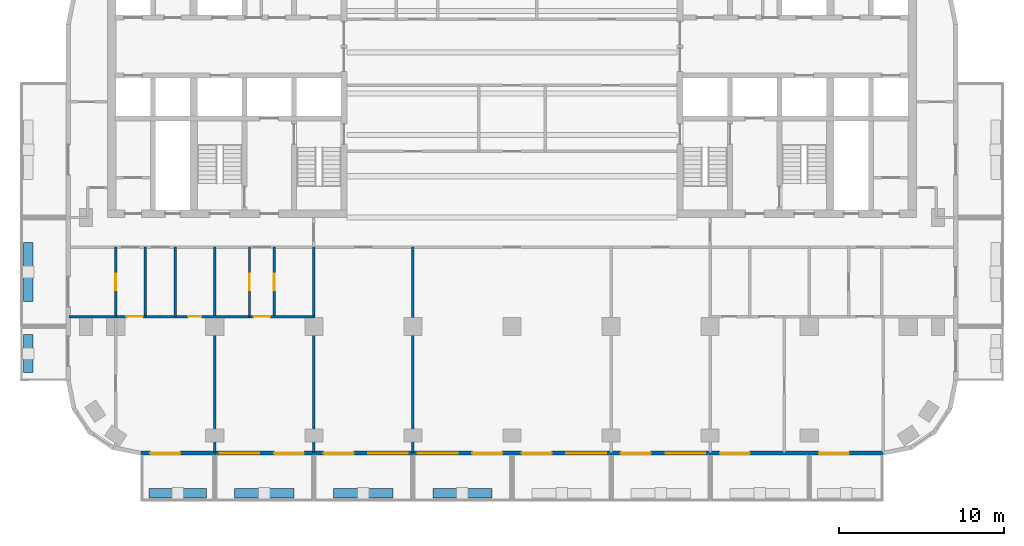
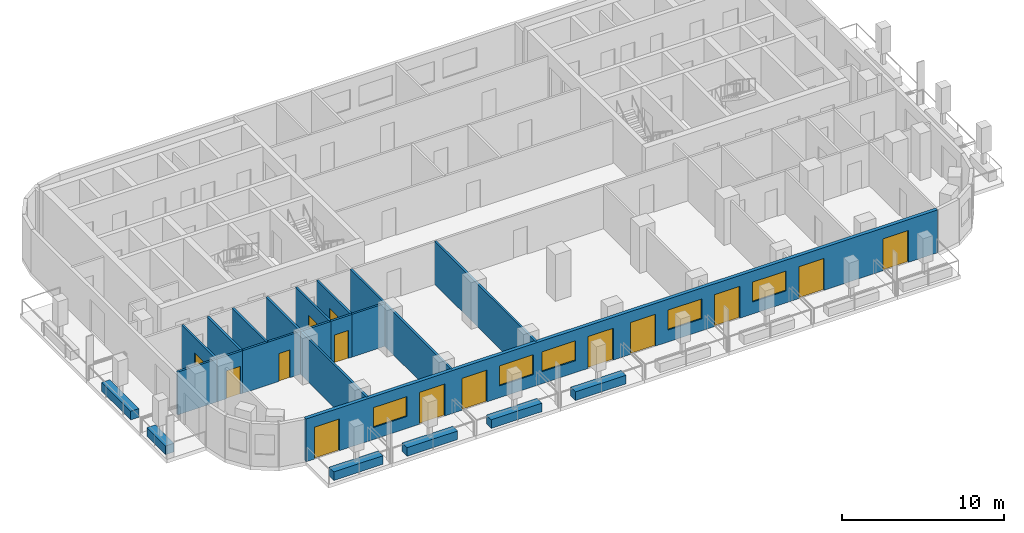
# One storey, part 2 of 11: 20 walls, 14 doors, 5 windows, 19 openings.
"""IFC4 building model written with IfcOpenShell, lengths in metres."""

from ifc_helpers import new_model, si_unit, direction, frame, frame_2d, origin, place, context, subcontext, project, spatial, rectangle, extrude, material, layer, layer_set, type_object, element, fill, save


model = new_model("IFC4")

# Units and contexts
model_context = context("Model", 3, precision=1e-05, world=origin(), true_north=direction((0.0, 1.0)))
body_context = subcontext(model_context, "Body", "Model", "MODEL_VIEW")
ifc_project = project(units=[si_unit("LENGTHUNIT", "METRE"), si_unit("AREAUNIT", "SQUARE_METRE"), si_unit("VOLUMEUNIT", "CUBIC_METRE"), si_unit("PLANEANGLEUNIT", "RADIAN"), si_unit("MASSUNIT", "GRAM", prefix="KILO")], contexts=[model_context])

# Site, building, storey
site_placement = place(None, origin())
site = spatial("IfcSite", under=ifc_project, at=site_placement, CompositionType="ELEMENT")
building_placement = place(site_placement, origin())
building = spatial("IfcBuilding", under=site, at=building_placement, Name="Torana Hotel and Residences", CompositionType="ELEMENT")
storey_placement = place(building_placement, frame((0.0, 0.0, 222.10009765625)))
storey = spatial("IfcBuildingStorey", under=building, at=storey_placement, Name="L58", CompositionType="ELEMENT", Elevation=222.10009765625)

# Wall, openings, doors, windows
ifc_material_1 = material(Name="Black aluminium composite panel", Category="aluminium")
ifc_layer_1 = layer(ifc_material_1, 0.00390625, Name="Cladding", Category="cladding")
ifc_material_2 = material(Name="Ventilated air cavity")
ifc_layer_2 = layer(ifc_material_2, 0.0400390625, Name="Ventilated cavity", Category="cavity")
ifc_material_3 = material(Name="Mineral wool insulation")
ifc_layer_3 = layer(ifc_material_3, 0.090087890625, Name="Insulation", Category="insulation")
ifc_material_4 = material(Name="Steel S280GD", Category="steel")
ifc_layer_4 = layer(ifc_material_4, 0.092041015625, Name="Steel stud frame", Category="structure")
ifc_material_5 = material(Name="Fire rated plasterboard")
ifc_layer_5 = layer(ifc_material_5, 0.011962890625, Name="Inner board", Category="finish")
ifc_layer_6 = layer(ifc_material_5, 0.011962890625, Name="Second board", Category="finish")
ifc_layer_set_1 = layer_set([ifc_layer_1, ifc_layer_2, ifc_layer_3, ifc_layer_4, ifc_layer_5, ifc_layer_6], Name="EW1 EXTERNAL WALL BLACK METAL CLAD 250")
wall_type_1 = type_object("IfcWallType", Name="EW1 EXTERNAL WALL BLACK METAL CLAD 250", PredefinedType="SOLIDWALL", material=ifc_layer_set_1)
wall_1_placement = place(storey_placement, frame((-22.475341796875, -29.27490234375, 0.0), z_axis=(0.0, 0.0, 1.0), x_axis=(1.0, 0.0, 0.0)))
wall_1 = element("IfcWall", 1, at=wall_1_placement, inside=storey, type_object=wall_type_1, Name="External wall L58 e0.14", PredefinedType="SOLIDWALL", context=body_context, shape_type="SweptSolid", body=[
    extrude(rectangle(XDim=44.95068359375, YDim=0.25, at=frame_2d((22.475341796875, 0.0))), origin(), (0.0, 0.0, 1.0), 3.219970703125),
])
opening_1_placement = place(wall_1_placement, frame((0.575439453125, 0.0, 0.0)))
opening_1 = element("IfcOpeningElement", 2, at=opening_1_placement, cuts=wall_1, Name="Opening L58-E01", PredefinedType="OPENING", context=body_context, shape_type="SweptSolid", body=[
    extrude(rectangle(XDim=1.800048828125, YDim=2.39990234375, at=frame_2d((0.89990234375, 1.199951171875))), frame((0.0, 0.135009765625, 0.0), z_axis=(0.0, -1.0, 0.0), x_axis=(1.0, 0.0, 0.0)), (0.0, 0.0, 1.0), 0.27001953125),
])
opening_2_placement = place(wall_1_placement, frame((4.775390625, 0.0, 0.89990234375)))
opening_2 = element("IfcOpeningElement", 3, at=opening_2_placement, cuts=wall_1, Name="Opening W3", PredefinedType="OPENING", context=body_context, shape_type="SweptSolid", body=[
    extrude(rectangle(XDim=2.39990234375, YDim=1.5, at=frame_2d((1.199951171875, 0.75))), frame((0.0, 0.135009765625, 0.0), z_axis=(0.0, -1.0, 0.0), x_axis=(1.0, 0.0, 0.0)), (0.0, 0.0, 1.0), 0.27001953125),
])
opening_3_placement = place(wall_1_placement, frame((8.075439453125, 0.0, 0.0)))
opening_3 = element("IfcOpeningElement", 4, at=opening_3_placement, cuts=wall_1, Name="Opening L58-E02", PredefinedType="OPENING", context=body_context, shape_type="SweptSolid", body=[
    extrude(rectangle(XDim=1.800048828125, YDim=2.39990234375, at=frame_2d((0.89990234375, 1.199951171875))), frame((0.0, 0.135009765625, 0.0), z_axis=(0.0, -1.0, 0.0), x_axis=(1.0, 0.0, 0.0)), (0.0, 0.0, 1.0), 0.27001953125),
])
opening_4_placement = place(wall_1_placement, frame((11.075439453125, 0.0, 0.0)))
opening_4 = element("IfcOpeningElement", 5, at=opening_4_placement, cuts=wall_1, Name="Opening L58-E03", PredefinedType="OPENING", context=body_context, shape_type="SweptSolid", body=[
    extrude(rectangle(XDim=1.800048828125, YDim=2.39990234375, at=frame_2d((0.89990234375, 1.199951171875))), frame((0.0, 0.135009765625, 0.0), z_axis=(0.0, -1.0, 0.0), x_axis=(1.0, 0.0, 0.0)), (0.0, 0.0, 1.0), 0.27001953125),
])
opening_5_placement = place(wall_1_placement, frame((13.775390625, 0.0, 0.89990234375)))
opening_5 = element("IfcOpeningElement", 6, at=opening_5_placement, cuts=wall_1, Name="Opening W3", PredefinedType="OPENING", context=body_context, shape_type="SweptSolid", body=[
    extrude(rectangle(XDim=2.39990234375, YDim=1.5, at=frame_2d((1.199951171875, 0.75))), frame((0.0, 0.135009765625, 0.0), z_axis=(0.0, -1.0, 0.0), x_axis=(1.0, 0.0, 0.0)), (0.0, 0.0, 1.0), 0.27001953125),
])
opening_6_placement = place(wall_1_placement, frame((16.775390625, 0.0, 0.89990234375)))
opening_6 = element("IfcOpeningElement", 7, at=opening_6_placement, cuts=wall_1, Name="Opening W3", PredefinedType="OPENING", context=body_context, shape_type="SweptSolid", body=[
    extrude(rectangle(XDim=2.39990234375, YDim=1.5, at=frame_2d((1.199951171875, 0.75))), frame((0.0, 0.135009765625, 0.0), z_axis=(0.0, -1.0, 0.0), x_axis=(1.0, 0.0, 0.0)), (0.0, 0.0, 1.0), 0.27001953125),
])
opening_7_placement = place(wall_1_placement, frame((20.075439453125, 0.0, 0.0)))
opening_7 = element("IfcOpeningElement", 8, at=opening_7_placement, cuts=wall_1, Name="Opening L58-E04", PredefinedType="OPENING", context=body_context, shape_type="SweptSolid", body=[
    extrude(rectangle(XDim=1.800048828125, YDim=2.39990234375, at=frame_2d((0.89990234375, 1.199951171875))), frame((0.0, 0.135009765625, 0.0), z_axis=(0.0, -1.0, 0.0), x_axis=(1.0, 0.0, 0.0)), (0.0, 0.0, 1.0), 0.27001953125),
])
opening_8_placement = place(wall_1_placement, frame((23.075439453125, 0.0, 0.0)))
opening_8 = element("IfcOpeningElement", 9, at=opening_8_placement, cuts=wall_1, Name="Opening L58-E05", PredefinedType="OPENING", context=body_context, shape_type="SweptSolid", body=[
    extrude(rectangle(XDim=1.800048828125, YDim=2.39990234375, at=frame_2d((0.89990234375, 1.199951171875))), frame((0.0, 0.135009765625, 0.0), z_axis=(0.0, -1.0, 0.0), x_axis=(1.0, 0.0, 0.0)), (0.0, 0.0, 1.0), 0.27001953125),
])
opening_9_placement = place(wall_1_placement, frame((25.775390625, 0.0, 0.89990234375)))
opening_9 = element("IfcOpeningElement", 10, at=opening_9_placement, cuts=wall_1, Name="Opening W3", PredefinedType="OPENING", context=body_context, shape_type="SweptSolid", body=[
    extrude(rectangle(XDim=2.39990234375, YDim=1.5, at=frame_2d((1.199951171875, 0.75))), frame((0.0, 0.135009765625, 0.0), z_axis=(0.0, -1.0, 0.0), x_axis=(1.0, 0.0, 0.0)), (0.0, 0.0, 1.0), 0.27001953125),
])
opening_10_placement = place(wall_1_placement, frame((29.075439453125, 0.0, 0.0)))
opening_10 = element("IfcOpeningElement", 11, at=opening_10_placement, cuts=wall_1, Name="Opening L58-E06", PredefinedType="OPENING", context=body_context, shape_type="SweptSolid", body=[
    extrude(rectangle(XDim=1.800048828125, YDim=2.39990234375, at=frame_2d((0.89990234375, 1.199951171875))), frame((0.0, 0.135009765625, 0.0), z_axis=(0.0, -1.0, 0.0), x_axis=(1.0, 0.0, 0.0)), (0.0, 0.0, 1.0), 0.27001953125),
])
opening_11_placement = place(wall_1_placement, frame((31.775390625, 0.0, 0.89990234375)))
opening_11 = element("IfcOpeningElement", 12, at=opening_11_placement, cuts=wall_1, Name="Opening W3", PredefinedType="OPENING", context=body_context, shape_type="SweptSolid", body=[
    extrude(rectangle(XDim=2.39990234375, YDim=1.5, at=frame_2d((1.199951171875, 0.75))), frame((0.0, 0.135009765625, 0.0), z_axis=(0.0, -1.0, 0.0), x_axis=(1.0, 0.0, 0.0)), (0.0, 0.0, 1.0), 0.27001953125),
])
opening_12_placement = place(wall_1_placement, frame((35.075439453125, 0.0, 0.0)))
opening_12 = element("IfcOpeningElement", 13, at=opening_12_placement, cuts=wall_1, Name="Opening L58-E07", PredefinedType="OPENING", context=body_context, shape_type="SweptSolid", body=[
    extrude(rectangle(XDim=1.800048828125, YDim=2.39990234375, at=frame_2d((0.89990234375, 1.199951171875))), frame((0.0, 0.135009765625, 0.0), z_axis=(0.0, -1.0, 0.0), x_axis=(1.0, 0.0, 0.0)), (0.0, 0.0, 1.0), 0.27001953125),
])
opening_13_placement = place(wall_1_placement, frame((41.075439453125, 0.0, 0.0)))
opening_13 = element("IfcOpeningElement", 14, at=opening_13_placement, cuts=wall_1, Name="Opening L58-E08", PredefinedType="OPENING", context=body_context, shape_type="SweptSolid", body=[
    extrude(rectangle(XDim=1.800048828125, YDim=2.39990234375, at=frame_2d((0.89990234375, 1.199951171875))), frame((0.0, 0.135009765625, 0.0), z_axis=(0.0, -1.0, 0.0), x_axis=(1.0, 0.0, 0.0)), (0.0, 0.0, 1.0), 0.27001953125),
])
ifc_material_6 = material(Name="Dark glass in black aluminium frame", Category="aluminium")
door_type_1 = type_object("IfcDoorType", Name="DB1 BALCONY DOOR 1800x2400", OperationType="DOUBLE_DOOR_SINGLE_SWING", PredefinedType="DOOR", material=ifc_material_6)
door_1_placement = place(opening_1_placement, origin())
door_1 = element("IfcDoor", 15, at=door_1_placement, inside=storey, type_object=door_type_1, Name="Balcony door L58", OperationType="DOUBLE_DOOR_SINGLE_SWING", OverallHeight=2.39990234375, OverallWidth=1.800048828125, PredefinedType="DOOR", context=body_context, shape_type="SweptSolid", body=[
    extrude(rectangle(XDim=1.800048828125, YDim=2.39990234375, at=frame_2d((0.89990234375, 1.199951171875))), frame((0.0, 0.02490234375, 0.0), z_axis=(0.0, -1.0, 0.0), x_axis=(1.0, 0.0, 0.0)), (0.0, 0.0, 1.0), 0.050048828125),
])
fill(opening_1, door_1)
door_2_placement = place(opening_3_placement, origin())
door_2 = element("IfcDoor", 16, at=door_2_placement, inside=storey, type_object=door_type_1, Name="Balcony door L58", OperationType="DOUBLE_DOOR_SINGLE_SWING", OverallHeight=2.39990234375, OverallWidth=1.800048828125, PredefinedType="DOOR", context=body_context, shape_type="SweptSolid", body=[
    extrude(rectangle(XDim=1.800048828125, YDim=2.39990234375, at=frame_2d((0.89990234375, 1.199951171875))), frame((0.0, 0.02490234375, 0.0), z_axis=(0.0, -1.0, 0.0), x_axis=(1.0, 0.0, 0.0)), (0.0, 0.0, 1.0), 0.050048828125),
])
fill(opening_3, door_2)
door_3_placement = place(opening_4_placement, origin())
door_3 = element("IfcDoor", 17, at=door_3_placement, inside=storey, type_object=door_type_1, Name="Balcony door L58", OperationType="DOUBLE_DOOR_SINGLE_SWING", OverallHeight=2.39990234375, OverallWidth=1.800048828125, PredefinedType="DOOR", context=body_context, shape_type="SweptSolid", body=[
    extrude(rectangle(XDim=1.800048828125, YDim=2.39990234375, at=frame_2d((0.89990234375, 1.199951171875))), frame((0.0, 0.02490234375, 0.0), z_axis=(0.0, -1.0, 0.0), x_axis=(1.0, 0.0, 0.0)), (0.0, 0.0, 1.0), 0.050048828125),
])
fill(opening_4, door_3)
door_4_placement = place(opening_7_placement, origin())
door_4 = element("IfcDoor", 18, at=door_4_placement, inside=storey, type_object=door_type_1, Name="Balcony door L58", OperationType="DOUBLE_DOOR_SINGLE_SWING", OverallHeight=2.39990234375, OverallWidth=1.800048828125, PredefinedType="DOOR", context=body_context, shape_type="SweptSolid", body=[
    extrude(rectangle(XDim=1.800048828125, YDim=2.39990234375, at=frame_2d((0.89990234375, 1.199951171875))), frame((0.0, 0.02490234375, 0.0), z_axis=(0.0, -1.0, 0.0), x_axis=(1.0, 0.0, 0.0)), (0.0, 0.0, 1.0), 0.050048828125),
])
fill(opening_7, door_4)
door_5_placement = place(opening_8_placement, origin())
door_5 = element("IfcDoor", 19, at=door_5_placement, inside=storey, type_object=door_type_1, Name="Balcony door L58", OperationType="DOUBLE_DOOR_SINGLE_SWING", OverallHeight=2.39990234375, OverallWidth=1.800048828125, PredefinedType="DOOR", context=body_context, shape_type="SweptSolid", body=[
    extrude(rectangle(XDim=1.800048828125, YDim=2.39990234375, at=frame_2d((0.89990234375, 1.199951171875))), frame((0.0, 0.02490234375, 0.0), z_axis=(0.0, -1.0, 0.0), x_axis=(1.0, 0.0, 0.0)), (0.0, 0.0, 1.0), 0.050048828125),
])
fill(opening_8, door_5)
door_6_placement = place(opening_10_placement, origin())
door_6 = element("IfcDoor", 20, at=door_6_placement, inside=storey, type_object=door_type_1, Name="Balcony door L58", OperationType="DOUBLE_DOOR_SINGLE_SWING", OverallHeight=2.39990234375, OverallWidth=1.800048828125, PredefinedType="DOOR", context=body_context, shape_type="SweptSolid", body=[
    extrude(rectangle(XDim=1.800048828125, YDim=2.39990234375, at=frame_2d((0.89990234375, 1.199951171875))), frame((0.0, 0.02490234375, 0.0), z_axis=(0.0, -1.0, 0.0), x_axis=(1.0, 0.0, 0.0)), (0.0, 0.0, 1.0), 0.050048828125),
])
fill(opening_10, door_6)
door_7_placement = place(opening_12_placement, origin())
door_7 = element("IfcDoor", 21, at=door_7_placement, inside=storey, type_object=door_type_1, Name="Balcony door L58", OperationType="DOUBLE_DOOR_SINGLE_SWING", OverallHeight=2.39990234375, OverallWidth=1.800048828125, PredefinedType="DOOR", context=body_context, shape_type="SweptSolid", body=[
    extrude(rectangle(XDim=1.800048828125, YDim=2.39990234375, at=frame_2d((0.89990234375, 1.199951171875))), frame((0.0, 0.02490234375, 0.0), z_axis=(0.0, -1.0, 0.0), x_axis=(1.0, 0.0, 0.0)), (0.0, 0.0, 1.0), 0.050048828125),
])
fill(opening_12, door_7)
door_8_placement = place(opening_13_placement, origin())
door_8 = element("IfcDoor", 22, at=door_8_placement, inside=storey, type_object=door_type_1, Name="Balcony door L58", OperationType="DOUBLE_DOOR_SINGLE_SWING", OverallHeight=2.39990234375, OverallWidth=1.800048828125, PredefinedType="DOOR", context=body_context, shape_type="SweptSolid", body=[
    extrude(rectangle(XDim=1.800048828125, YDim=2.39990234375, at=frame_2d((0.89990234375, 1.199951171875))), frame((0.0, 0.02490234375, 0.0), z_axis=(0.0, -1.0, 0.0), x_axis=(1.0, 0.0, 0.0)), (0.0, 0.0, 1.0), 0.050048828125),
])
fill(opening_13, door_8)
ifc_material_7 = material(Name="Dark glass in black aluminium frame", Category="aluminium")
window_type = type_object("IfcWindowType", Name="W3 RESIDENCE WINDOW 2400x1500", PartitioningType="SINGLE_PANEL", PredefinedType="WINDOW", material=ifc_material_7)
window_1_placement = place(opening_2_placement, origin())
window_1 = element("IfcWindow", 23, at=window_1_placement, inside=storey, type_object=window_type, Name="Window L58", OverallHeight=1.5, OverallWidth=2.39990234375, PartitioningType="SINGLE_PANEL", PredefinedType="WINDOW", context=body_context, shape_type="SweptSolid", body=[
    extrude(rectangle(XDim=2.39990234375, YDim=1.5, at=frame_2d((1.199951171875, 0.75))), frame((0.0, 0.030029296875, 0.0), z_axis=(0.0, -1.0, 0.0), x_axis=(1.0, 0.0, 0.0)), (0.0, 0.0, 1.0), 0.06005859375),
])
fill(opening_2, window_1)
window_2_placement = place(opening_5_placement, origin())
window_2 = element("IfcWindow", 24, at=window_2_placement, inside=storey, type_object=window_type, Name="Window L58", OverallHeight=1.5, OverallWidth=2.39990234375, PartitioningType="SINGLE_PANEL", PredefinedType="WINDOW", context=body_context, shape_type="SweptSolid", body=[
    extrude(rectangle(XDim=2.39990234375, YDim=1.5, at=frame_2d((1.199951171875, 0.75))), frame((0.0, 0.030029296875, 0.0), z_axis=(0.0, -1.0, 0.0), x_axis=(1.0, 0.0, 0.0)), (0.0, 0.0, 1.0), 0.06005859375),
])
fill(opening_5, window_2)
window_3_placement = place(opening_6_placement, origin())
window_3 = element("IfcWindow", 25, at=window_3_placement, inside=storey, type_object=window_type, Name="Window L58", OverallHeight=1.5, OverallWidth=2.39990234375, PartitioningType="SINGLE_PANEL", PredefinedType="WINDOW", context=body_context, shape_type="SweptSolid", body=[
    extrude(rectangle(XDim=2.39990234375, YDim=1.5, at=frame_2d((1.199951171875, 0.75))), frame((0.0, 0.030029296875, 0.0), z_axis=(0.0, -1.0, 0.0), x_axis=(1.0, 0.0, 0.0)), (0.0, 0.0, 1.0), 0.06005859375),
])
fill(opening_6, window_3)
window_4_placement = place(opening_9_placement, origin())
window_4 = element("IfcWindow", 26, at=window_4_placement, inside=storey, type_object=window_type, Name="Window L58", OverallHeight=1.5, OverallWidth=2.39990234375, PartitioningType="SINGLE_PANEL", PredefinedType="WINDOW", context=body_context, shape_type="SweptSolid", body=[
    extrude(rectangle(XDim=2.39990234375, YDim=1.5, at=frame_2d((1.199951171875, 0.75))), frame((0.0, 0.030029296875, 0.0), z_axis=(0.0, -1.0, 0.0), x_axis=(1.0, 0.0, 0.0)), (0.0, 0.0, 1.0), 0.06005859375),
])
fill(opening_9, window_4)
window_5_placement = place(opening_11_placement, origin())
window_5 = element("IfcWindow", 27, at=window_5_placement, inside=storey, type_object=window_type, Name="Window L58", OverallHeight=1.5, OverallWidth=2.39990234375, PartitioningType="SINGLE_PANEL", PredefinedType="WINDOW", context=body_context, shape_type="SweptSolid", body=[
    extrude(rectangle(XDim=2.39990234375, YDim=1.5, at=frame_2d((1.199951171875, 0.75))), frame((0.0, 0.030029296875, 0.0), z_axis=(0.0, -1.0, 0.0), x_axis=(1.0, 0.0, 0.0)), (0.0, 0.0, 1.0), 0.06005859375),
])
fill(opening_11, window_5)

# Wall, opening, door
ifc_material_8 = material(Name="Gypsum plaster")
ifc_layer_7 = layer(ifc_material_8, 0.014892578125, Name="Plaster", Category="finish")
ifc_material_9 = material(Name="Concrete blockwork", Category="masonry")
ifc_layer_8 = layer(ifc_material_9, 0.1201171875, Name="Blockwork", Category="structure")
ifc_layer_9 = layer(ifc_material_8, 0.014892578125, Name="Plaster", Category="finish")
ifc_layer_set_2 = layer_set([ifc_layer_7, ifc_layer_8, ifc_layer_9], Name="FIRE PARTITION 150 BLOCKWORK")
wall_type_2 = type_object("IfcWallType", Name="FIRE PARTITION 150 BLOCKWORK", PredefinedType="PARTITIONING", material=ifc_layer_set_2)
wall_2_placement = place(storey_placement, frame((-14.39990234375, -21.0, 0.0), z_axis=(0.0, 0.0, 1.0), x_axis=(0.0, 1.0, 0.0)))
wall_2 = element("IfcWall", 28, at=wall_2_placement, inside=storey, type_object=wall_type_2, Name="Partition L58", PredefinedType="PARTITIONING", context=body_context, shape_type="SweptSolid", body=[
    extrude(rectangle(XDim=4.199951171875, YDim=0.14990234375, at=frame_2d((2.10009765625, 0.0))), origin(), (0.0, 0.0, 1.0), 3.219970703125),
])
opening_14_placement = place(wall_2_placement, frame((1.60009765625, 0.0, 0.0)))
opening_14 = element("IfcOpeningElement", 29, at=opening_14_placement, cuts=wall_2, Name="Opening L58-52", PredefinedType="OPENING", context=body_context, shape_type="SweptSolid", body=[
    extrude(rectangle(XDim=1.0, YDim=2.10009765625, at=frame_2d((0.5, 1.050048828125))), frame((0.0, 0.0849609375, 0.0), z_axis=(0.0, -1.0, 0.0), x_axis=(1.0, 0.0, 0.0)), (0.0, 0.0, 1.0), 0.169921875),
])
ifc_material_10 = material(Name="Steel S235", Category="steel")
door_type_2 = type_object("IfcDoorType", Name="ENTRY FIRE DOOR D6 1000x2100", OperationType="SINGLE_SWING_LEFT", PredefinedType="DOOR", material=ifc_material_10)
door_9_placement = place(opening_14_placement, frame((0.5, 0.0, 0.0), z_axis=(0.0, 0.0, 1.0), x_axis=(-1.0, 0.0, 0.0)))
door_9 = element("IfcDoor", 30, at=door_9_placement, inside=storey, type_object=door_type_2, Name="Door L58", OperationType="SINGLE_SWING_LEFT", OverallHeight=2.10009765625, OverallWidth=1.0, PredefinedType="DOOR", context=body_context, shape_type="SweptSolid", body=[
    extrude(rectangle(XDim=1.0, YDim=2.10009765625, at=frame_2d((0.0, 1.050048828125))), frame((0.0, -0.02490234375, 0.0), z_axis=(0.0, 1.0, 0.0), x_axis=(-1.0, 0.0, 0.0)), (0.0, 0.0, 1.0), 0.050048828125),
])
fill(opening_14, door_9)

wall_3_placement = place(storey_placement, frame((-15.89990234375, -21.0, 0.0), z_axis=(0.0, 0.0, 1.0), x_axis=(0.0, 1.0, 0.0)))
wall_3 = element("IfcWall", 31, at=wall_3_placement, inside=storey, type_object=wall_type_2, Name="Partition L58", PredefinedType="PARTITIONING", context=body_context, shape_type="SweptSolid", body=[
    extrude(rectangle(XDim=4.199951171875, YDim=0.14990234375, at=frame_2d((2.10009765625, 0.0))), origin(), (0.0, 0.0, 1.0), 3.219970703125),
])
opening_15_placement = place(wall_3_placement, frame((1.60009765625, 0.0, 0.0)))
opening_15 = element("IfcOpeningElement", 32, at=opening_15_placement, cuts=wall_3, Name="Opening L58-51", PredefinedType="OPENING", context=body_context, shape_type="SweptSolid", body=[
    extrude(rectangle(XDim=1.0, YDim=2.10009765625, at=frame_2d((0.5, 1.050048828125))), frame((0.0, 0.0849609375, 0.0), z_axis=(0.0, -1.0, 0.0), x_axis=(1.0, 0.0, 0.0)), (0.0, 0.0, 1.0), 0.169921875),
])
door_10_placement = place(opening_15_placement, origin())
door_10 = element("IfcDoor", 33, at=door_10_placement, inside=storey, type_object=door_type_2, Name="Door L58", OperationType="SINGLE_SWING_RIGHT", OverallHeight=2.10009765625, OverallWidth=1.0, PredefinedType="DOOR", context=body_context, shape_type="SweptSolid", body=[
    extrude(rectangle(XDim=1.0, YDim=2.10009765625, at=frame_2d((0.5, 1.050048828125))), frame((0.0, 0.02490234375, 0.0), z_axis=(0.0, -1.0, 0.0), x_axis=(1.0, 0.0, 0.0)), (0.0, 0.0, 1.0), 0.050048828125),
])
fill(opening_15, door_10)

# Wall
wall_4_placement = place(storey_placement, frame((-22.199951171875, -21.0, 0.0), z_axis=(0.0, 0.0, 1.0), x_axis=(0.0, 1.0, 0.0)))
element("IfcWall", 34, at=wall_4_placement, inside=storey, type_object=wall_type_2, Name="Partition L58", PredefinedType="PARTITIONING", context=body_context, shape_type="SweptSolid", body=[
    extrude(rectangle(XDim=4.199951171875, YDim=0.14990234375, at=frame_2d((2.10009765625, 0.0))), origin(), (0.0, 0.0, 1.0), 3.219970703125),
])

# Wall, opening, door
wall_5_placement = place(storey_placement, frame((-24.0, -21.0, 0.0), z_axis=(0.0, 0.0, 1.0), x_axis=(0.0, 1.0, 0.0)))
wall_5 = element("IfcWall", 35, at=wall_5_placement, inside=storey, type_object=wall_type_2, Name="Partition L58", PredefinedType="PARTITIONING", context=body_context, shape_type="SweptSolid", body=[
    extrude(rectangle(XDim=4.199951171875, YDim=0.14990234375, at=frame_2d((2.10009765625, 0.0))), origin(), (0.0, 0.0, 1.0), 3.219970703125),
])
opening_16_placement = place(wall_5_placement, frame((1.580078125, 0.0, 0.0)))
opening_16 = element("IfcOpeningElement", 36, at=opening_16_placement, cuts=wall_5, Name="Opening L58-55", PredefinedType="OPENING", context=body_context, shape_type="SweptSolid", body=[
    extrude(rectangle(XDim=1.0, YDim=2.10009765625, at=frame_2d((0.5, 1.050048828125))), frame((0.0, 0.0849609375, 0.0), z_axis=(0.0, -1.0, 0.0), x_axis=(1.0, 0.0, 0.0)), (0.0, 0.0, 1.0), 0.169921875),
])
door_11_placement = place(opening_16_placement, origin())
door_11 = element("IfcDoor", 37, at=door_11_placement, inside=storey, type_object=door_type_2, Name="Door L58", OperationType="SINGLE_SWING_RIGHT", OverallHeight=2.10009765625, OverallWidth=1.0, PredefinedType="DOOR", context=body_context, shape_type="SweptSolid", body=[
    extrude(rectangle(XDim=1.0, YDim=2.10009765625, at=frame_2d((0.5, 1.050048828125))), frame((0.0, 0.02490234375, 0.0), z_axis=(0.0, -1.0, 0.0), x_axis=(1.0, 0.0, 0.0)), (0.0, 0.0, 1.0), 0.050048828125),
])
fill(opening_16, door_11)

wall_6_placement = place(storey_placement, frame((-24.0, -21.0, 0.0), z_axis=(0.0, 0.0, 1.0), x_axis=(1.0, 0.0, 0.0)))
wall_6 = element("IfcWall", 38, at=wall_6_placement, inside=storey, type_object=wall_type_2, Name="Partition L58", PredefinedType="PARTITIONING", context=body_context, shape_type="SweptSolid", body=[
    extrude(rectangle(XDim=1.800048828125, YDim=0.14990234375, at=frame_2d((0.89990234375, 0.0))), origin(), (0.0, 0.0, 1.0), 3.219970703125),
])
opening_17_placement = place(wall_6_placement, frame((0.64990234375, 0.0, 0.0)))
opening_17 = element("IfcOpeningElement", 39, at=opening_17_placement, cuts=wall_6, Name="Opening L58-56", PredefinedType="OPENING", context=body_context, shape_type="SweptSolid", body=[
    extrude(rectangle(XDim=1.0, YDim=2.10009765625, at=frame_2d((0.5, 1.050048828125))), frame((0.0, 0.0849609375, 0.0), z_axis=(0.0, -1.0, 0.0), x_axis=(1.0, 0.0, 0.0)), (0.0, 0.0, 1.0), 0.169921875),
])
door_12_placement = place(opening_17_placement, frame((0.5, 0.0, 0.0), z_axis=(0.0, 0.0, 1.0), x_axis=(-1.0, 0.0, 0.0)))
door_12 = element("IfcDoor", 40, at=door_12_placement, inside=storey, type_object=door_type_2, Name="Door L58", OperationType="SINGLE_SWING_LEFT", OverallHeight=2.10009765625, OverallWidth=1.0, PredefinedType="DOOR", context=body_context, shape_type="SweptSolid", body=[
    extrude(rectangle(XDim=1.0, YDim=2.10009765625, at=frame_2d((0.0, 1.050048828125))), frame((0.0, -0.02490234375, 0.0), z_axis=(0.0, 1.0, 0.0), x_axis=(-1.0, 0.0, 0.0)), (0.0, 0.0, 1.0), 0.050048828125),
])
fill(opening_17, door_12)

wall_7_placement = place(storey_placement, frame((-15.89990234375, -21.0, 0.0), z_axis=(0.0, 0.0, 1.0), x_axis=(1.0, 0.0, 0.0)))
wall_7 = element("IfcWall", 41, at=wall_7_placement, inside=storey, type_object=wall_type_2, Name="Partition L58", PredefinedType="PARTITIONING", context=body_context, shape_type="SweptSolid", body=[
    extrude(rectangle(XDim=1.5, YDim=0.14990234375, at=frame_2d((0.75, 0.0))), origin(), (0.0, 0.0, 1.0), 3.219970703125),
])
opening_18_placement = place(wall_7_placement, frame((0.25, 0.0, 0.0)))
opening_18 = element("IfcOpeningElement", 42, at=opening_18_placement, cuts=wall_7, Name="Opening L58-53", PredefinedType="OPENING", context=body_context, shape_type="SweptSolid", body=[
    extrude(rectangle(XDim=1.0, YDim=2.10009765625, at=frame_2d((0.5, 1.050048828125))), frame((0.0, 0.0849609375, 0.0), z_axis=(0.0, -1.0, 0.0), x_axis=(1.0, 0.0, 0.0)), (0.0, 0.0, 1.0), 0.169921875),
])
door_13_placement = place(opening_18_placement, frame((0.5, 0.0, 0.0), z_axis=(0.0, 0.0, 1.0), x_axis=(-1.0, 0.0, 0.0)))
door_13 = element("IfcDoor", 43, at=door_13_placement, inside=storey, type_object=door_type_2, Name="Door L58", OperationType="SINGLE_SWING_LEFT", OverallHeight=2.10009765625, OverallWidth=1.0, PredefinedType="DOOR", context=body_context, shape_type="SweptSolid", body=[
    extrude(rectangle(XDim=1.0, YDim=2.10009765625, at=frame_2d((0.0, 1.050048828125))), frame((0.0, -0.02490234375, 0.0), z_axis=(0.0, 1.0, 0.0), x_axis=(-1.0, 0.0, 0.0)), (0.0, 0.0, 1.0), 0.050048828125),
])
fill(opening_18, door_13)

# Walls
ifc_material_11 = material(Name="Gypsum plasterboard")
ifc_layer_10 = layer(ifc_material_11, 0.012451171875, Name="Plasterboard", Category="finish")
ifc_layer_11 = layer(ifc_material_11, 0.012451171875, Name="Plasterboard", Category="finish")
ifc_layer_12 = layer(ifc_material_4, 0.10009765625, Name="Steel studs with mineral wool", Category="insulation")
ifc_layer_13 = layer(ifc_material_11, 0.012451171875, Name="Plasterboard", Category="finish")
ifc_layer_14 = layer(ifc_material_11, 0.012451171875, Name="Plasterboard", Category="finish")
ifc_layer_set_3 = layer_set([ifc_layer_10, ifc_layer_11, ifc_layer_12, ifc_layer_13, ifc_layer_14], Name="PARTITION 150 PLASTERBOARD")
wall_type_3 = type_object("IfcWallType", Name="PARTITION 150 PLASTERBOARD", PredefinedType="PARTITIONING", material=ifc_layer_set_3)
for number, where, z_axis, x_axis, name in (
    (44, (-6.0, -29.219970703125, 0.0), (0.0, 0.0, 1.0), (0.0, 1.0, 0.0), "Partition L58"),
    (45, (-12.0, -29.219970703125, 0.0), (0.0, 0.0, 1.0), (0.0, 1.0, 0.0), "Partition L58"),
    (46, (-18.0, -29.219970703125, 0.0), (0.0, 0.0, 1.0), (0.0, 1.0, 0.0), "Partition L58"),
):
    element("IfcWall", number, at=place(storey_placement, frame(where, z_axis=z_axis, x_axis=x_axis)), inside=storey, type_object=wall_type_3, Name=name, PredefinedType="PARTITIONING", context=body_context, shape_type="SweptSolid", body=[
        extrude(rectangle(XDim=12.419921875, YDim=0.14990234375, at=frame_2d((6.2099609375, 0.0))), origin(), (0.0, 0.0, 1.0), 3.219970703125),
    ])
wall_8_placement = place(storey_placement, frame((-20.39990234375, -21.0, 0.0), z_axis=(0.0, 0.0, 1.0), x_axis=(0.0, 1.0, 0.0)))
element("IfcWall", 47, at=wall_8_placement, inside=storey, type_object=wall_type_3, Name="Partition L58", PredefinedType="PARTITIONING", context=body_context, shape_type="SweptSolid", body=[
    extrude(rectangle(XDim=4.199951171875, YDim=0.14990234375, at=frame_2d((2.10009765625, 0.0))), origin(), (0.0, 0.0, 1.0), 3.219970703125),
])
wall_9_placement = place(storey_placement, frame((-26.820068359375, -21.0, 0.0), z_axis=(0.0, 0.0, 1.0), x_axis=(1.0, 0.0, 0.0)))
element("IfcWall", 48, at=wall_9_placement, inside=storey, type_object=wall_type_3, Name="Partition L58", PredefinedType="PARTITIONING", context=body_context, shape_type="SweptSolid", body=[
    extrude(rectangle(XDim=2.820068359375, YDim=0.14990234375, at=frame_2d((1.41015625, 0.0))), origin(), (0.0, 0.0, 1.0), 3.219970703125),
])

# Wall, opening, door
wall_10_placement = place(storey_placement, frame((-22.199951171875, -21.0, 0.0), z_axis=(0.0, 0.0, 1.0), x_axis=(1.0, 0.0, 0.0)))
wall_10 = element("IfcWall", 49, at=wall_10_placement, inside=storey, type_object=wall_type_3, Name="Partition L58", PredefinedType="PARTITIONING", context=body_context, shape_type="SweptSolid", body=[
    extrude(rectangle(XDim=6.300048828125, YDim=0.14990234375, at=frame_2d((3.14990234375, 0.0))), origin(), (0.0, 0.0, 1.0), 3.219970703125),
])
opening_19_placement = place(wall_10_placement, frame((2.580078125, 0.0, 0.0)))
opening_19 = element("IfcOpeningElement", 50, at=opening_19_placement, cuts=wall_10, Name="Opening L58-54", PredefinedType="OPENING", context=body_context, shape_type="SweptSolid", body=[
    extrude(rectangle(XDim=0.800048828125, YDim=2.10009765625, at=frame_2d((0.39990234375, 1.050048828125))), frame((0.0, 0.0849609375, 0.0), z_axis=(0.0, -1.0, 0.0), x_axis=(1.0, 0.0, 0.0)), (0.0, 0.0, 1.0), 0.169921875),
])
ifc_material_12 = material(Name="Timber door, painted", Category="wood")
door_type_3 = type_object("IfcDoorType", Name="BATH DOOR D13 800x2100", OperationType="SINGLE_SWING_LEFT", PredefinedType="DOOR", material=ifc_material_12)
door_14_placement = place(opening_19_placement, origin())
door_14 = element("IfcDoor", 51, at=door_14_placement, inside=storey, type_object=door_type_3, Name="Door L58", OperationType="SINGLE_SWING_RIGHT", OverallHeight=2.10009765625, OverallWidth=0.800048828125, PredefinedType="DOOR", context=body_context, shape_type="SweptSolid", body=[
    extrude(rectangle(XDim=0.800048828125, YDim=2.10009765625, at=frame_2d((0.39990234375, 1.050048828125))), frame((0.0, 0.02490234375, 0.0), z_axis=(0.0, -1.0, 0.0), x_axis=(1.0, 0.0, 0.0)), (0.0, 0.0, 1.0), 0.050048828125),
])
fill(opening_19, door_14)

# Walls
wall_11_placement = place(storey_placement, frame((-14.39990234375, -21.0, 0.0), z_axis=(0.0, 0.0, 1.0), x_axis=(1.0, 0.0, 0.0)))
element("IfcWall", 52, at=wall_11_placement, inside=storey, type_object=wall_type_3, Name="Partition L58", PredefinedType="PARTITIONING", context=body_context, shape_type="SweptSolid", body=[
    extrude(rectangle(XDim=2.39990234375, YDim=0.14990234375, at=frame_2d((1.199951171875, 0.0))), origin(), (0.0, 0.0, 1.0), 3.219970703125),
])
ifc_material_13 = material(Name="Concrete C40/50 precast", Category="concrete")
ifc_layer_15 = layer(ifc_material_13, 0.10009765625, Name="Planter shell", Category="structure")
ifc_material_14 = material(Name="Root resistant membrane")
ifc_layer_16 = layer(ifc_material_14, 0.00390625, Name="Waterproofing membrane", Category="membrane")
ifc_material_15 = material(Name="Drainage board with filter fleece")
ifc_layer_17 = layer(ifc_material_15, 0.02001953125, Name="Drainage board", Category="drainage")
ifc_material_16 = material(Name="Growing medium")
ifc_layer_18 = layer(ifc_material_16, 0.47607421875, Name="Planting substrate", Category="soil")
ifc_layer_set_4 = layer_set([ifc_layer_15, ifc_layer_16, ifc_layer_17, ifc_layer_18], Name="PL1 BALCONY PLANTER 600")
wall_type_4 = type_object("IfcWallType", Name="PL1 BALCONY PLANTER 600", PredefinedType="USERDEFINED", material=ifc_layer_set_4)
wall_12_placement = place(storey_placement, frame((-18.5, -31.699951171875, 0.0), z_axis=(0.0, 0.0, 1.0), x_axis=(-1.0, 0.0, 0.0)))
element("IfcWall", 53, at=wall_12_placement, inside=storey, type_object=wall_type_4, Name="Planter 01", ObjectType="PLANTER", PredefinedType="USERDEFINED", context=body_context, shape_type="SweptSolid", body=[
    extrude(rectangle(XDim=3.5, YDim=0.60009765625, at=frame_2d((1.75, 0.0))), origin(), (0.0, 0.0, 1.0), 0.64990234375),
])
for number, where, z_axis, x_axis, name in (
    (54, (-13.199951171875, -31.699951171875, 0.0), (0.0, 0.0, 1.0), (-1.0, 0.0, 0.0), "Planter 02"),
    (55, (-7.199951171875, -31.699951171875, 0.0), (0.0, 0.0, 1.0), (-1.0, 0.0, 0.0), "Planter 03"),
    (56, (-1.199951171875, -31.699951171875, 0.0), (0.0, 0.0, 1.0), (-1.0, 0.0, 0.0), "Planter 04"),
):
    element("IfcWall", number, at=place(storey_placement, frame(where, z_axis=z_axis, x_axis=x_axis)), inside=storey, type_object=wall_type_4, Name=name, ObjectType="PLANTER", PredefinedType="USERDEFINED", context=body_context, shape_type="SweptSolid", body=[
        extrude(rectangle(XDim=3.60009765625, YDim=0.60009765625, at=frame_2d((1.800048828125, 0.0))), origin(), (0.0, 0.0, 1.0), 0.64990234375),
    ])
wall_13_placement = place(storey_placement, frame((-29.300048828125, -24.39990234375, 0.0), z_axis=(0.0, 0.0, 1.0), x_axis=(0.0, 1.0, 0.0)))
element("IfcWall", 57, at=wall_13_placement, inside=storey, type_object=wall_type_4, Name="Planter 09", ObjectType="PLANTER", PredefinedType="USERDEFINED", context=body_context, shape_type="SweptSolid", body=[
    extrude(rectangle(XDim=2.2998046875, YDim=0.60009765625, at=frame_2d((1.14990234375, 0.0))), origin(), (0.0, 0.0, 1.0), 0.64990234375),
])
wall_14_placement = place(storey_placement, frame((-29.300048828125, -20.10009765625, 0.0), z_axis=(0.0, 0.0, 1.0), x_axis=(0.0, 1.0, 0.0)))
element("IfcWall", 58, at=wall_14_placement, inside=storey, type_object=wall_type_4, Name="Planter 10", ObjectType="PLANTER", PredefinedType="USERDEFINED", context=body_context, shape_type="SweptSolid", body=[
    extrude(rectangle(XDim=3.60009765625, YDim=0.60009765625, at=frame_2d((1.800048828125, 0.0))), origin(), (0.0, 0.0, 1.0), 0.64990234375),
])

save(model, "model.ifc")
